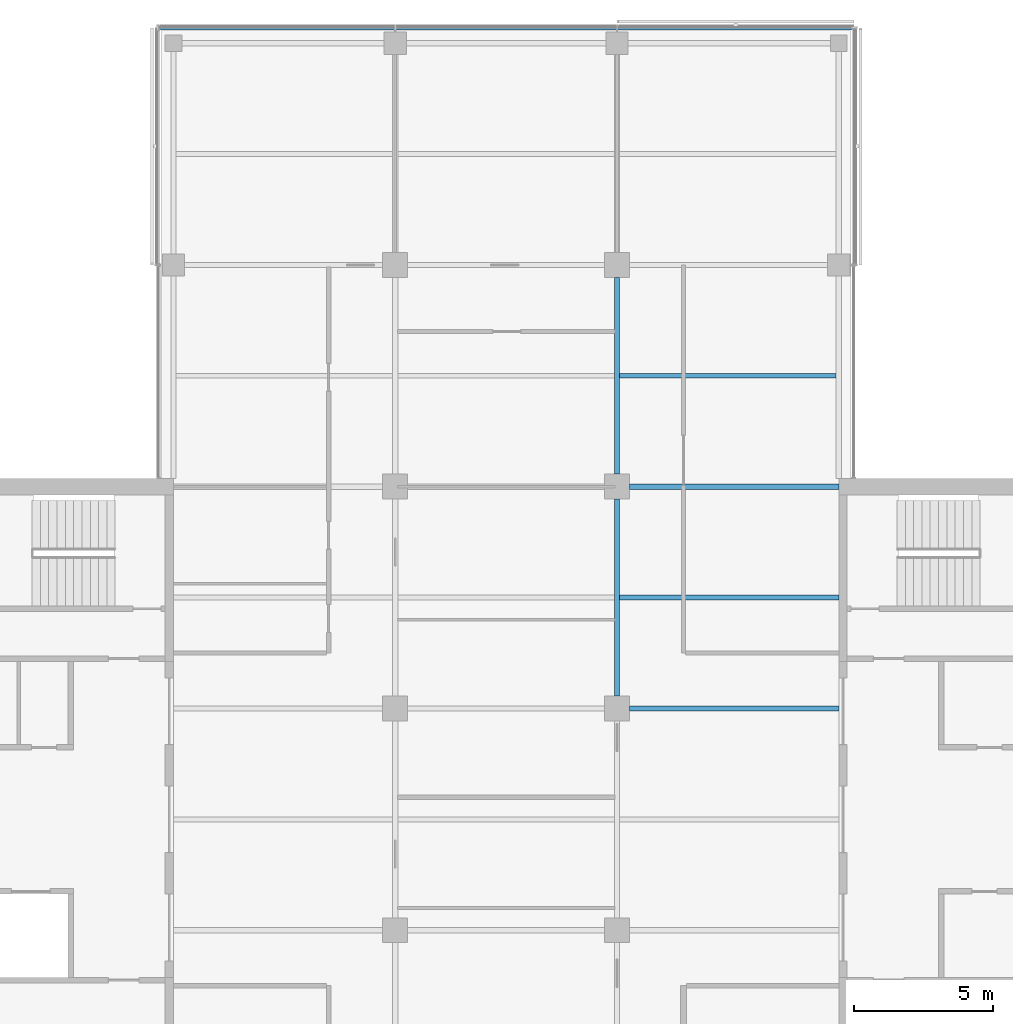
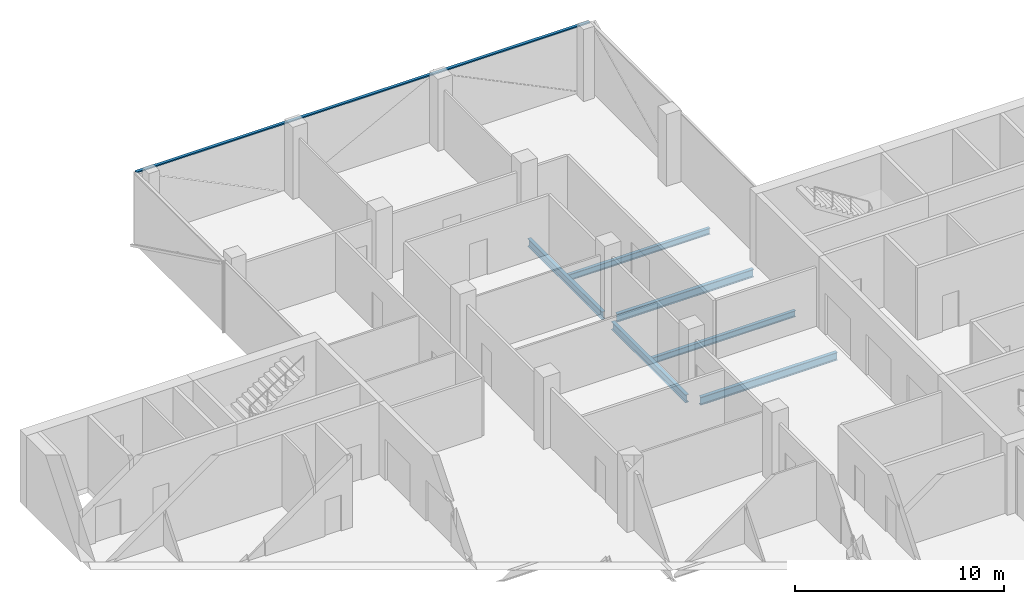
# One storey, part 6 of 15: 6 beams, 1 member, 1 element without a shape of its own.
"""IFC4 building model written with IfcOpenShell, lengths in metres."""

from ifc_helpers import new_model, si_unit, direction, frame, origin, origin_2d, place, context, subcontext, project, spatial, rectangle, i_section, extrude, material, material_profile, profile_set, type_object, element, aggregate, save


model = new_model("IFC4")

# Units and contexts
model_context = context("Model", 3, precision=1e-05, world=origin(), true_north=direction((0.0, 1.0)))
body_context = subcontext(model_context, "Body", "Model", "MODEL_VIEW")
ifc_project = project(units=[si_unit("LENGTHUNIT", "METRE"), si_unit("AREAUNIT", "SQUARE_METRE"), si_unit("VOLUMEUNIT", "CUBIC_METRE"), si_unit("PLANEANGLEUNIT", "RADIAN"), si_unit("MASSUNIT", "GRAM", prefix="KILO")], contexts=[model_context])

# Site, building, storey
site_placement = place(None, origin())
site = spatial("IfcSite", under=ifc_project, at=site_placement, CompositionType="ELEMENT")
building_placement = place(site_placement, origin())
building = spatial("IfcBuilding", under=site, at=building_placement, Name="Crosswind Convention Tower", CompositionType="ELEMENT")
storey_placement = place(building_placement, frame((0.0, 0.0, 183.10009765625)))
storey = spatial("IfcBuildingStorey", under=building, at=storey_placement, Name="L38", CompositionType="ELEMENT", Elevation=183.10009765625)

# Beams
ifc_material_1 = material(Name="Steel S355", Category="steel")
ifc_material_profile_1 = material_profile(ifc_material_1, i_section(OverallWidth=0.1904296875, OverallDepth=0.457275390625, WebThickness=0.009033203125, FlangeThickness=0.014404296875, FilletRadius=0.01025390625, at=origin_2d()), Name="UB 457x191x75")
ifc_profile_set_1 = profile_set([ifc_material_profile_1], Name="Steel S355")
beam_type_1 = type_object("IfcBeamType", Name="Girder UB 457x191x75", PredefinedType="BEAM", material=ifc_profile_set_1)
for number, where, z_axis, x_axis, name in (
    (1, (129.0, 104.449951171875, -0.52880859375), (0.0, 1.0, 0.0), (-1.0, 0.0, 0.0), "B2 L38 girder 20"),
    (2, (129.0, 112.449951171875, -0.52880859375), (0.0, 1.0, 0.0), (-1.0, 0.0, 0.0), "B2 L38 girder 21"),
):
    element("IfcBeam", number, at=place(storey_placement, frame(where, z_axis=z_axis, x_axis=x_axis)), inside=storey, type_object=beam_type_1, Name=name, PredefinedType="BEAM", context=body_context, shape_type="SweptSolid", body=[
        extrude(i_section(OverallWidth=0.1904296875, OverallDepth=0.457275390625, WebThickness=0.009033203125, FlangeThickness=0.014404296875, FilletRadius=0.01025390625, at=origin_2d()), origin(), (0.0, 0.0, 1.0), 7.10009765625),
    ])
ifc_material_profile_2 = material_profile(ifc_material_1, i_section(OverallWidth=0.19140625, OverallDepth=0.460205078125, WebThickness=0.010009765625, FlangeThickness=0.01611328125, FilletRadius=0.01025390625, at=origin_2d()), Name="UB 457x191x82")
ifc_profile_set_2 = profile_set([ifc_material_profile_2], Name="Steel S355")
beam_type_2 = type_object("IfcBeamType", Name="Girder at core wall UB 457x191x82", PredefinedType="BEAM", material=ifc_profile_set_2)
for number, where, z_axis, x_axis, name in (
    (3, (129.449951171875, 104.0, -0.5302734375), (1.0, 0.0, 0.0), (0.0, 1.0, 0.0), "B23 L38 girder at core wall 7"),
    (4, (129.449951171875, 112.0, -0.5302734375), (1.0, 0.0, 0.0), (0.0, 1.0, 0.0), "B23 L38 girder at core wall 8"),
):
    element("IfcBeam", number, at=place(storey_placement, frame(where, z_axis=z_axis, x_axis=x_axis)), inside=storey, type_object=beam_type_2, Name=name, PredefinedType="BEAM", context=body_context, shape_type="SweptSolid", body=[
        extrude(i_section(OverallWidth=0.19140625, OverallDepth=0.460205078125, WebThickness=0.010009765625, FlangeThickness=0.01611328125, FilletRadius=0.01025390625, at=origin_2d()), origin(), (0.0, 0.0, 1.0), 7.550048828125),
    ])
ifc_material_profile_3 = material_profile(ifc_material_1, i_section(OverallWidth=0.172119140625, OverallDepth=0.358642578125, WebThickness=0.008056640625, FlangeThickness=0.012939453125, FilletRadius=0.01025390625, at=origin_2d()), Name="UB 356x171x57")
ifc_profile_set_3 = profile_set([ifc_material_profile_3], Name="Steel S355")
beam_type_3 = type_object("IfcBeamType", Name="Secondary beam UB 356x171x57", PredefinedType="JOIST", material=ifc_profile_set_3)
beam_1_placement = place(storey_placement, frame((129.09521484375, 108.0, -0.4794921875), z_axis=(1.0, 0.0, 0.0), x_axis=(0.0, 1.0, 0.0)))
element("IfcBeam", 5, at=beam_1_placement, inside=storey, type_object=beam_type_3, Name="B9 L38 secondary beam 19", PredefinedType="JOIST", context=body_context, shape_type="SweptSolid", body=[
    extrude(i_section(OverallWidth=0.172119140625, OverallDepth=0.358642578125, WebThickness=0.008056640625, FlangeThickness=0.012939453125, FilletRadius=0.01025390625, at=origin_2d()), origin(), (0.0, 0.0, 1.0), 7.90478515625),
])
beam_2_placement = place(storey_placement, frame((129.09521484375, 116.0, -0.4794921875), z_axis=(1.0, 0.0, 0.0), x_axis=(0.0, 1.0, 0.0)))
element("IfcBeam", 6, at=beam_2_placement, inside=storey, type_object=beam_type_3, Name="B9 L38 secondary beam 20", PredefinedType="JOIST", context=body_context, shape_type="SweptSolid", body=[
    extrude(i_section(OverallWidth=0.172119140625, OverallDepth=0.358642578125, WebThickness=0.008056640625, FlangeThickness=0.012939453125, FilletRadius=0.01025390625, at=origin_2d()), origin(), (0.0, 0.0, 1.0), 7.809814453125),
])

# Curtain wall, member
ifc_material_2 = material(Name="Aluminium unitised curtain wall", Category="aluminium")
curtain_wall_type = type_object("IfcCurtainWallType", Name="OFFICE UNITISED WALL 220", PredefinedType="USERDEFINED", material=ifc_material_2)
curtain_wall_placement = place(storey_placement, origin())
curtain_wall = element("IfcCurtainWall", 7, at=curtain_wall_placement, inside=storey, type_object=curtain_wall_type, Name="CW3 L38 N-TIP 1", ObjectType="UNITISED", PredefinedType="USERDEFINED")
ifc_material_3 = material(Name="Aluminium transom", Category="aluminium")
ifc_material_profile_4 = material_profile(ifc_material_3, rectangle(XDim=0.159912109375, YDim=0.070068359375, at=origin_2d()), Name="AL 160X70")
ifc_profile_set_4 = profile_set([ifc_material_profile_4], Name="Aluminium transom")
member_type = type_object("IfcMemberType", Name="TRANSOM 70X160", PredefinedType="USERDEFINED", material=ifc_profile_set_4)
member_placement = place(storey_placement, frame((137.52490234375, 128.56005859375, 3.864990234375), z_axis=(-1.0, 0.0, 0.0), x_axis=(0.0, -1.0, 0.0)))
member = element("IfcMember", 8, at=member_placement, type_object=member_type, Name="CW3 transom", ObjectType="TRANSOM", PredefinedType="USERDEFINED", context=body_context, shape_type="SweptSolid", body=[
    extrude(rectangle(XDim=0.159912109375, YDim=0.070068359375, at=origin_2d()), origin(), (0.0, 0.0, 1.0), 25.0498046875),
])
aggregate(curtain_wall, [member])

save(model, "model.ifc")
